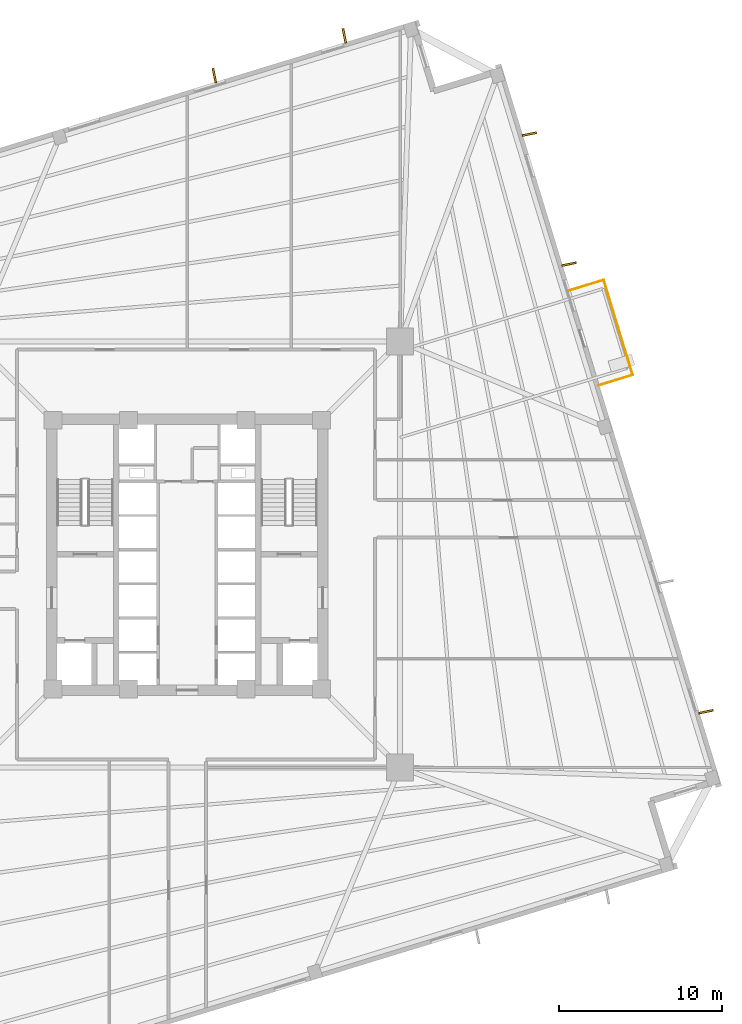
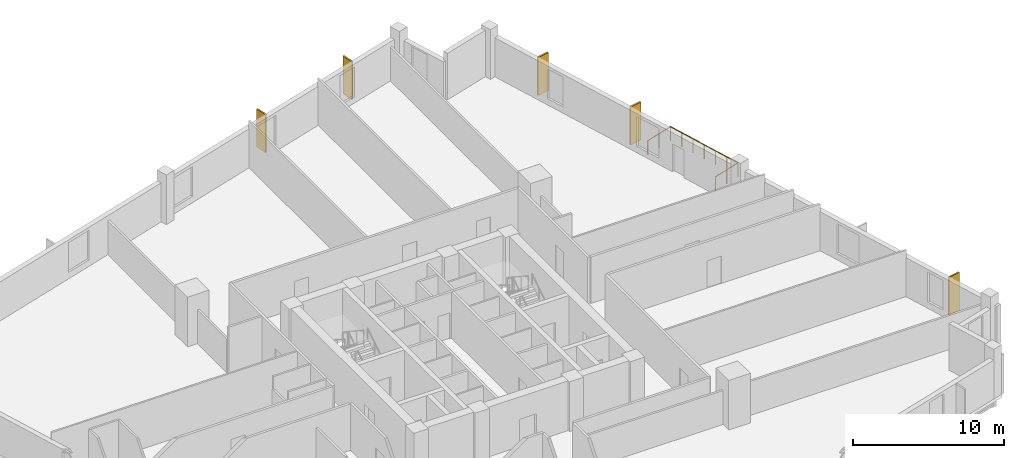
# One storey, part 9 of 9: 5 coverings, 3 railings.
"""IFC4 building model written with IfcOpenShell, lengths in metres."""

from ifc_helpers import new_model, si_unit, direction, frame, origin, origin_2d, place, context, subcontext, project, spatial, rectangle, circle, extrude, source, transform, mapped, material, layer, layer_set, type_object, element, save


model = new_model("IFC4")

# Units and contexts
model_context = context("Model", 3, precision=1e-05, world=origin(), true_north=direction((0.0, 1.0)))
body_context = subcontext(model_context, "Body", "Model", "MODEL_VIEW")
ifc_project = project(units=[si_unit("LENGTHUNIT", "METRE"), si_unit("AREAUNIT", "SQUARE_METRE"), si_unit("VOLUMEUNIT", "CUBIC_METRE"), si_unit("PLANEANGLEUNIT", "RADIAN"), si_unit("MASSUNIT", "GRAM", prefix="KILO"), si_unit("THERMODYNAMICTEMPERATUREUNIT", "KELVIN")], contexts=[model_context])

# Site, building, storey
site_placement = place(None, origin())
site = spatial("IfcSite", under=ifc_project, at=site_placement, CompositionType="ELEMENT")
building_placement = place(site_placement, origin())
building = spatial("IfcBuilding", under=site, at=building_placement, Name="Kosmvard Interchange Tower", CompositionType="ELEMENT")
storey_placement = place(building_placement, frame((0.0, 0.0, 119.199951171875)))
storey = spatial("IfcBuildingStorey", under=building, at=storey_placement, Name="L28", CompositionType="ELEMENT", Elevation=119.199951171875)

# Coverings
ifc_material_1 = material(Name="Architectural anodised aluminium", Category="aluminium")
ifc_layer = layer(ifc_material_1, 0.1201171875, Name="Architectural anodised aluminium")
ifc_layer_set = layer_set([ifc_layer], Name="Architectural anodised aluminium")
covering_type = type_object("IfcCoveringType", Name="Rotating Vertical Sun-Breaker Fin 900x120 Aluminium", PredefinedType="CLADDING", material=ifc_layer_set)
shared_shape_1 = source(origin(), body_context, "Body", "SweptSolid", [
    extrude(rectangle(XDim=0.89990234375, YDim=0.1201171875, at=origin_2d()), origin(), (0.0, 0.0, 1.0), 3.06005859375),
])
for number, where, z_axis, x_axis, name in (
    (1, (31.865966796875, -9.6572265625, 0.0400390625), (0.0, 0.0, 1.0), (0.980374533385, 0.197144044521, 0.0), "L28 Rotating Vertical Sun-Breaker Fin 05"),
    (2, (23.45849609375, 17.841796875, 0.0400390625), (0.0, 0.0, 1.0), (0.980374533385, 0.197144044521, 0.0), "L28 Rotating Vertical Sun-Breaker Fin 07"),
    (3, (21.017822265625, 25.825439453125, 0.0400390625), (0.0, 0.0, 1.0), (0.980374533385, 0.197144044521, 0.0), "L28 Rotating Vertical Sun-Breaker Fin 08"),
    (4, (9.6572265625, 31.865966796875, 0.0400390625), (0.0, 0.0, 1.0), (-0.197144044521, 0.980374533385, 0.0), "L28 Rotating Vertical Sun-Breaker Fin 09"),
    (5, (1.673583984375, 29.425048828125, 0.0400390625), (0.0, 0.0, 1.0), (-0.197144044521, 0.980374533385, 0.0), "L28 Rotating Vertical Sun-Breaker Fin 10"),
):
    element("IfcCovering", number, at=place(storey_placement, frame(where, z_axis=z_axis, x_axis=x_axis)), inside=storey, type_object=covering_type, Name=name, PredefinedType="CLADDING", context=body_context, shape_type="MappedRepresentation", body=[
        mapped(shared_shape_1, transform((0.0, 0.0, 0.0), scale=1.0)),
    ])

# Railings
ifc_material_2 = material(Name="Steel S355", Category="steel")
railing_type = type_object("IfcRailingType", Name="Observation & Balcony Glass-Infill Balustrade 1150", PredefinedType="BALUSTRADE", material=ifc_material_2)
shared_shape_2 = source(origin(), body_context, "Body", "SweptSolid", [
    extrude(circle(Radius=0.02392578125, at=origin_2d()), frame((0.0, 0.0, 1.1259765625), z_axis=(0.956329170869, 0.292291835236, 0.0), x_axis=(-0.292291835236, 0.956329170869, 0.0)), (0.0, 0.0, 1.0), 2.2001953125),
    extrude(circle(Radius=0.02099609375, at=origin_2d()), origin(), (0.0, 0.0, 1.0), 1.101806640625),
    extrude(circle(Radius=0.02099609375, at=origin_2d()), frame((1.052001953125, 0.321533203125, 0.0)), (0.0, 0.0, 1.0), 1.101806640625),
    extrude(circle(Radius=0.02099609375, at=origin_2d()), frame((2.10400390625, 0.64306640625, 0.0)), (0.0, 0.0, 1.0), 1.101806640625),
])
railing_1_placement = place(storey_placement, frame((25.265869140625, 10.39111328125, 0.0)))
element("IfcRailing", 6, at=railing_1_placement, inside=storey, type_object=railing_type, Name="L28 Outdoor Terrace Guard BAL-L28-E-A", PredefinedType="BALUSTRADE", context=body_context, shape_type="MappedRepresentation", body=[
    mapped(shared_shape_2, transform((0.0, 0.0, 0.0), scale=1.0)),
])
shared_shape_3 = source(origin(), body_context, "Body", "SweptSolid", [
    extrude(circle(Radius=0.02392578125, at=origin_2d()), frame((0.0, 0.0, 1.1259765625), z_axis=(-0.292366986664, 0.956306198406, 0.0), x_axis=(-0.956306198406, -0.292366986664, 0.0)), (0.0, 0.0, 1.0), 6.10009765625),
    extrude(circle(Radius=0.02099609375, at=origin_2d()), origin(), (0.0, 0.0, 1.0), 1.101806640625),
    extrude(circle(Radius=0.02099609375, at=origin_2d()), frame((-0.29736328125, 0.97216796875, 0.0)), (0.0, 0.0, 1.0), 1.101806640625),
    extrude(circle(Radius=0.02099609375, at=origin_2d()), frame((-0.594482421875, 1.944580078125, 0.0)), (0.0, 0.0, 1.0), 1.101806640625),
    extrude(circle(Radius=0.02099609375, at=origin_2d()), frame((-0.8916015625, 2.916748046875, 0.0)), (0.0, 0.0, 1.0), 1.101806640625),
    extrude(circle(Radius=0.02099609375, at=origin_2d()), frame((-1.18896484375, 3.888916015625, 0.0)), (0.0, 0.0, 1.0), 1.101806640625),
    extrude(circle(Radius=0.02099609375, at=origin_2d()), frame((-1.486328125, 4.861328125, 0.0)), (0.0, 0.0, 1.0), 1.101806640625),
    extrude(circle(Radius=0.02099609375, at=origin_2d()), frame((-1.783447265625, 5.83349609375, 0.0)), (0.0, 0.0, 1.0), 1.101806640625),
])
railing_2_placement = place(storey_placement, frame((27.369873046875, 11.0341796875, 0.0)))
element("IfcRailing", 7, at=railing_2_placement, inside=storey, type_object=railing_type, Name="L28 Outdoor Terrace Guard BAL-L28-E-B", PredefinedType="BALUSTRADE", context=body_context, shape_type="MappedRepresentation", body=[
    mapped(shared_shape_3, transform((0.0, 0.0, 0.0), scale=1.0)),
])
shared_shape_4 = source(origin(), body_context, "Body", "SweptSolid", [
    extrude(circle(Radius=0.02392578125, at=origin_2d()), frame((0.0, 0.0, 1.1259765625), z_axis=(-0.956329170869, -0.292291835236, 0.0), x_axis=(0.292291835236, -0.956329170869, 0.0)), (0.0, 0.0, 1.0), 2.2001953125),
    extrude(circle(Radius=0.02099609375, at=origin_2d()), origin(), (0.0, 0.0, 1.0), 1.101806640625),
    extrude(circle(Radius=0.02099609375, at=origin_2d()), frame((-1.052001953125, -0.321533203125, 0.0)), (0.0, 0.0, 1.0), 1.101806640625),
    extrude(circle(Radius=0.02099609375, at=origin_2d()), frame((-2.10400390625, -0.64306640625, 0.0)), (0.0, 0.0, 1.0), 1.101806640625),
])
railing_3_placement = place(storey_placement, frame((25.58642578125, 16.86767578125, 0.0)))
element("IfcRailing", 8, at=railing_3_placement, inside=storey, type_object=railing_type, Name="L28 Outdoor Terrace Guard BAL-L28-E-C", PredefinedType="BALUSTRADE", context=body_context, shape_type="MappedRepresentation", body=[
    mapped(shared_shape_4, transform((0.0, 0.0, 0.0), scale=1.0)),
])

save(model, "model.ifc")
